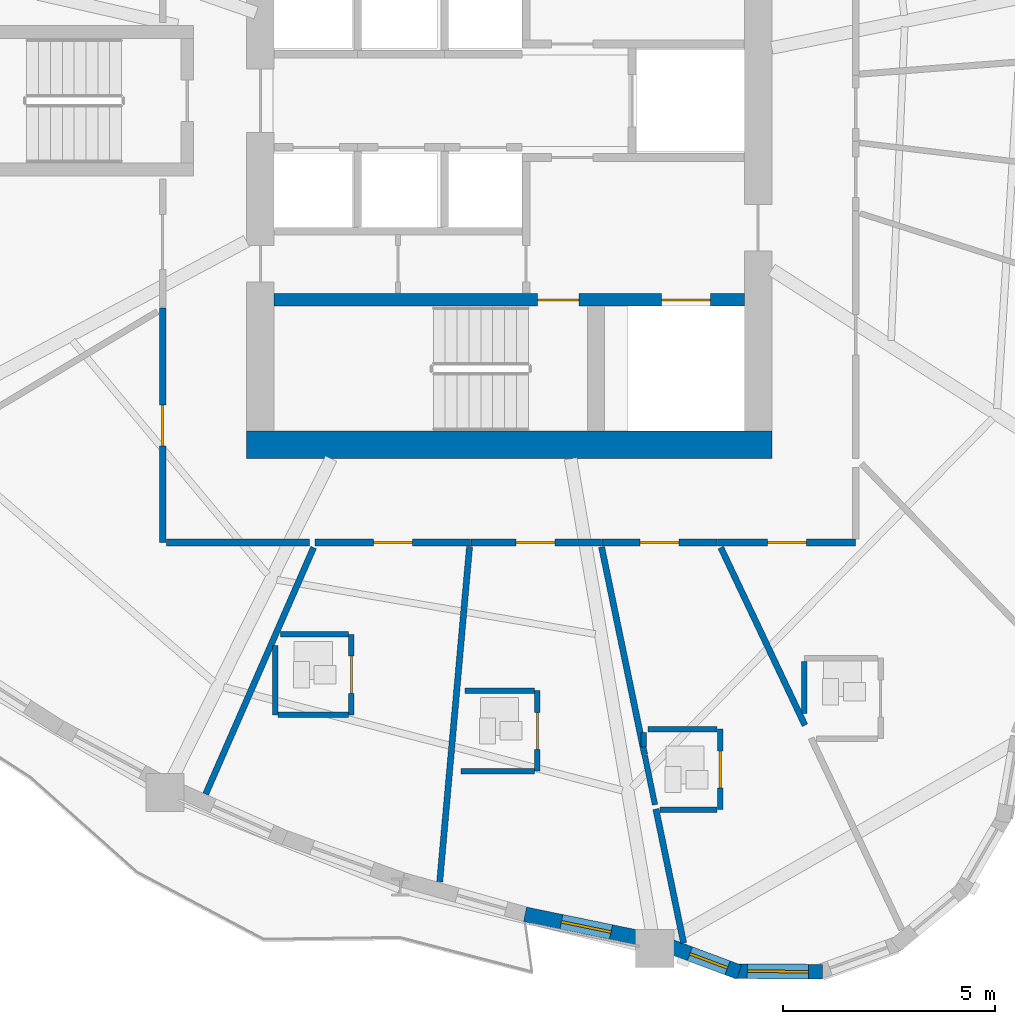
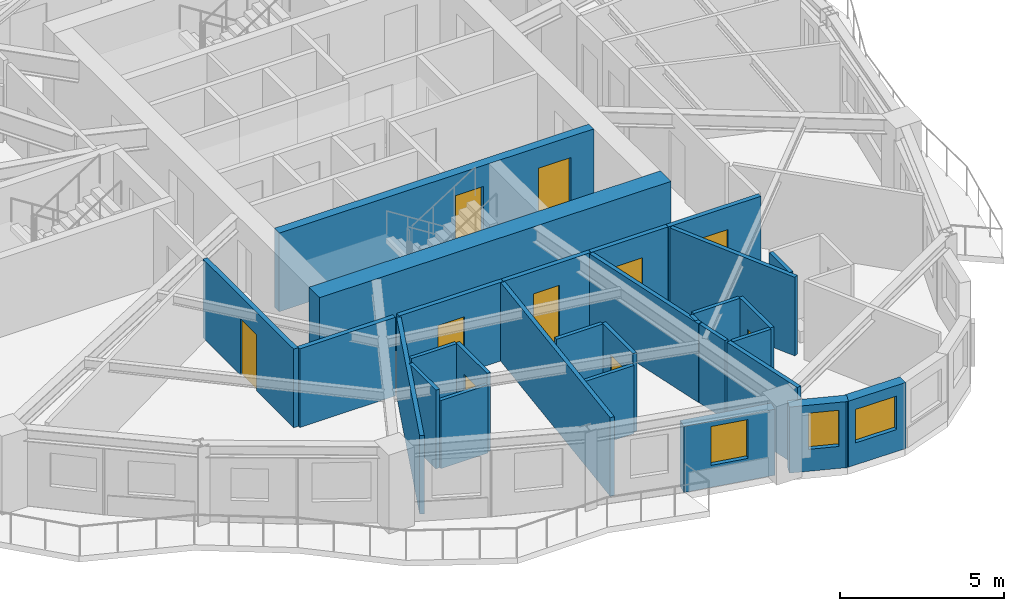
# One storey, part 5 of 14: 29 walls, 10 doors, 3 windows, 13 openings.
"""IFC4 building model written with IfcOpenShell, lengths in metres."""

from ifc_helpers import new_model, si_unit, direction, frame, frame_2d, origin, place, context, subcontext, project, spatial, rectangle, extrude, source, transform, mapped, material, layer, layer_set, type_object, element, fill, save


model = new_model("IFC4")

# Units and contexts
model_context = context("Model", 3, precision=1e-05, world=origin(), true_north=direction((0.0, 1.0)))
body_context = subcontext(model_context, "Body", "Model", "MODEL_VIEW")
ifc_project = project(units=[si_unit("LENGTHUNIT", "METRE"), si_unit("AREAUNIT", "SQUARE_METRE"), si_unit("VOLUMEUNIT", "CUBIC_METRE"), si_unit("PLANEANGLEUNIT", "RADIAN"), si_unit("MASSUNIT", "GRAM", prefix="KILO")], contexts=[model_context])

# Site, building, storey
site_placement = place(None, origin())
site = spatial("IfcSite", under=ifc_project, at=site_placement, CompositionType="ELEMENT")
building_placement = place(site_placement, origin())
building = spatial("IfcBuilding", under=site, at=building_placement, Name="Qafzar Sky-Pleat Residences", CompositionType="ELEMENT")
storey_placement = place(building_placement, frame((0.0, 0.0, 83.199951171875)))
storey = spatial("IfcBuildingStorey", under=building, at=storey_placement, Name="L24", CompositionType="ELEMENT", Elevation=83.199951171875)

# Wall, opening, door
ifc_material_1 = material(Name="Acoustic gypsum plasterboard partition", Category="gypsum")
ifc_layer_1 = layer(ifc_material_1, 0.159912109375)
ifc_layer_set_1 = layer_set([ifc_layer_1], Name="Acoustic gypsum plasterboard partition")
wall_type_1 = type_object("IfcWallType", Name="PART-COR-160", PredefinedType="PARTITIONING", material=ifc_layer_set_1)
wall_1_placement = place(storey_placement, frame((22.169921875, 15.570068359375, 0.0), z_axis=(0.0, 0.0, 1.0), x_axis=(0.0, 1.0, 0.0)))
wall_1 = element("IfcWall", 1, at=wall_1_placement, inside=storey, type_object=wall_type_1, Name="L24 Partition Wall PART-L24-PW-003", PredefinedType="PARTITIONING", context=body_context, shape_type="SweptSolid", body=[
    extrude(rectangle(XDim=5.54296875, YDim=0.159912109375, at=frame_2d((2.771484375, 0.0))), origin(), (0.0, 0.0, 1.0), 2.93505859375),
])
opening_1_placement = place(wall_1_placement, frame((2.282958984375, 0.0, 0.0)))
opening_1 = element("IfcOpeningElement", 2, at=opening_1_placement, cuts=wall_1, Name="Opening ID-06", PredefinedType="OPENING", context=body_context, shape_type="SweptSolid", body=[
    extrude(rectangle(XDim=0.9599609375, YDim=2.10009765625, at=frame_2d((0.47998046875, 1.050048828125))), frame((0.0, 0.08984375, 0.0), z_axis=(0.0, -1.0, 0.0), x_axis=(1.0, 0.0, 0.0)), (0.0, 0.0, 1.0), 0.179931640625),
])
ifc_material_2 = material(Name="Timber-faced fire door", Category="wood")
door_type_1 = type_object("IfcDoorType", Name="DR-STD-960", OperationType="NOTDEFINED", PredefinedType="DOOR", material=ifc_material_2)
shared_shape_1 = source(origin(), body_context, "Body", "SweptSolid", [
    extrude(rectangle(XDim=0.9599609375, YDim=2.10009765625, at=frame_2d((0.47998046875, 1.050048828125))), frame((0.0, 0.02490234375, 0.0), z_axis=(0.0, -1.0, 0.0), x_axis=(1.0, 0.0, 0.0)), (0.0, 0.0, 1.0), 0.050048828125),
])
door_1_placement = place(opening_1_placement, origin())
door_1 = element("IfcDoor", 3, at=door_1_placement, inside=storey, type_object=door_type_1, Name="L24 Scholar Co-Working Workspace Door", OperationType="SINGLE_SWING_LEFT", OverallHeight=2.10009765625, OverallWidth=0.9599609375, PredefinedType="DOOR", context=body_context, shape_type="MappedRepresentation", body=[
    mapped(shared_shape_1, transform((0.0, 0.0, 0.0), x_axis=(1.0, 0.0, 0.0), y_axis=(0.0, 1.0, 0.0), z_axis=(0.0, 0.0, 1.0), scale=1.0)),
])
fill(opening_1, door_1)

wall_2_placement = place(storey_placement, frame((29.43798828125, 15.570068359375, 0.0), z_axis=(0.0, 0.0, 1.0), x_axis=(-1.0, 0.0, 0.0)))
wall_2 = element("IfcWall", 4, at=wall_2_placement, inside=storey, type_object=wall_type_1, Name="L24 Partition Wall PART-L24-PW-009", PredefinedType="PARTITIONING", context=body_context, shape_type="SweptSolid", body=[
    extrude(rectangle(XDim=3.669921875, YDim=0.159912109375, at=frame_2d((1.8349609375, 0.0))), origin(), (0.0, 0.0, 1.0), 2.93505859375),
])
opening_2_placement = place(wall_2_placement, frame((1.3740234375, 0.0, 0.0)))
opening_2 = element("IfcOpeningElement", 5, at=opening_2_placement, cuts=wall_2, Name="Opening ID-04", PredefinedType="OPENING", context=body_context, shape_type="SweptSolid", body=[
    extrude(rectangle(XDim=0.919921875, YDim=2.10009765625, at=frame_2d((0.4599609375, 1.050048828125))), frame((0.0, 0.08984375, 0.0), z_axis=(0.0, -1.0, 0.0), x_axis=(1.0, 0.0, 0.0)), (0.0, 0.0, 1.0), 0.179931640625),
])
door_type_2 = type_object("IfcDoorType", Name="DR-BED-920", OperationType="NOTDEFINED", PredefinedType="DOOR", material=ifc_material_2)
shared_shape_2 = source(origin(), body_context, "Body", "SweptSolid", [
    extrude(rectangle(XDim=0.919921875, YDim=2.10009765625, at=frame_2d((0.4599609375, 1.050048828125))), frame((0.0, 0.02490234375, 0.0), z_axis=(0.0, -1.0, 0.0), x_axis=(1.0, 0.0, 0.0)), (0.0, 0.0, 1.0), 0.050048828125),
])
door_2_placement = place(opening_2_placement, origin())
door_2 = element("IfcDoor", 6, at=door_2_placement, inside=storey, type_object=door_type_2, Name="L24 Co-Living Bedroom 1 Door", OperationType="SINGLE_SWING_RIGHT", OverallHeight=2.10009765625, OverallWidth=0.919921875, PredefinedType="DOOR", context=body_context, shape_type="MappedRepresentation", body=[
    mapped(shared_shape_2, transform((0.0, 0.0, 0.0), x_axis=(1.0, 0.0, 0.0), y_axis=(0.0, 1.0, 0.0), z_axis=(0.0, 0.0, 1.0), scale=1.0)),
])
fill(opening_2, door_2)

wall_3_placement = place(storey_placement, frame((38.530029296875, 15.570068359375, 0.0), z_axis=(0.0, 0.0, 1.0), x_axis=(-1.0, 0.0, 0.0)))
wall_3 = element("IfcWall", 7, at=wall_3_placement, inside=storey, type_object=wall_type_1, Name="L24 Partition Wall PART-L24-PW-011", PredefinedType="PARTITIONING", context=body_context, shape_type="SweptSolid", body=[
    extrude(rectangle(XDim=3.257080078125, YDim=0.159912109375, at=frame_2d((1.62841796875, 0.0))), origin(), (0.0, 0.0, 1.0), 2.93505859375),
])
opening_3_placement = place(wall_3_placement, frame((1.159912109375, 0.0, 0.0)))
opening_3 = element("IfcOpeningElement", 8, at=opening_3_placement, cuts=wall_3, Name="Opening ID-04", PredefinedType="OPENING", context=body_context, shape_type="SweptSolid", body=[
    extrude(rectangle(XDim=0.919921875, YDim=2.10009765625, at=frame_2d((0.4599609375, 1.050048828125))), frame((0.0, 0.08984375, 0.0), z_axis=(0.0, -1.0, 0.0), x_axis=(1.0, 0.0, 0.0)), (0.0, 0.0, 1.0), 0.179931640625),
])
door_3_placement = place(opening_3_placement, origin())
door_3 = element("IfcDoor", 9, at=door_3_placement, inside=storey, type_object=door_type_2, Name="L24 Co-Living Bedroom 4 Door", OperationType="SINGLE_SWING_RIGHT", OverallHeight=2.10009765625, OverallWidth=0.919921875, PredefinedType="DOOR", context=body_context, shape_type="MappedRepresentation", body=[
    mapped(shared_shape_2, transform((0.0, 0.0, 0.0), x_axis=(1.0, 0.0, 0.0), y_axis=(0.0, 1.0, 0.0), z_axis=(0.0, 0.0, 1.0), scale=1.0)),
])
fill(opening_3, door_3)

wall_4_placement = place(storey_placement, frame((32.52490234375, 15.570068359375, 0.0), z_axis=(0.0, 0.0, 1.0), x_axis=(-1.0, 0.0, 0.0)))
wall_4 = element("IfcWall", 10, at=wall_4_placement, inside=storey, type_object=wall_type_1, Name="L24 Partition Wall PART-L24-PW-013", PredefinedType="PARTITIONING", context=body_context, shape_type="SweptSolid", body=[
    extrude(rectangle(XDim=3.072021484375, YDim=0.159912109375, at=frame_2d((1.5361328125, 0.0))), origin(), (0.0, 0.0, 1.0), 2.93505859375),
])
opening_4_placement = place(wall_4_placement, frame((1.098388671875, 0.0, 0.0)))
opening_4 = element("IfcOpeningElement", 11, at=opening_4_placement, cuts=wall_4, Name="Opening ID-04", PredefinedType="OPENING", context=body_context, shape_type="SweptSolid", body=[
    extrude(rectangle(XDim=0.919921875, YDim=2.10009765625, at=frame_2d((0.4599609375, 1.050048828125))), frame((0.0, 0.08984375, 0.0), z_axis=(0.0, -1.0, 0.0), x_axis=(1.0, 0.0, 0.0)), (0.0, 0.0, 1.0), 0.179931640625),
])
door_4_placement = place(opening_4_placement, origin())
door_4 = element("IfcDoor", 12, at=door_4_placement, inside=storey, type_object=door_type_2, Name="L24 Co-Living Bedroom 2 Door", OperationType="SINGLE_SWING_LEFT", OverallHeight=2.10009765625, OverallWidth=0.919921875, PredefinedType="DOOR", context=body_context, shape_type="MappedRepresentation", body=[
    mapped(shared_shape_2, transform((0.0, 0.0, 0.0), x_axis=(1.0, 0.0, 0.0), y_axis=(0.0, 1.0, 0.0), z_axis=(0.0, 0.0, 1.0), scale=1.0)),
])
fill(opening_4, door_4)

wall_5_placement = place(storey_placement, frame((35.258056640625, 15.570068359375, 0.0), z_axis=(0.0, 0.0, 1.0), x_axis=(-1.0, 0.0, 0.0)))
wall_5 = element("IfcWall", 13, at=wall_5_placement, inside=storey, type_object=wall_type_1, Name="L24 Partition Wall PART-L24-PW-016", PredefinedType="PARTITIONING", context=body_context, shape_type="SweptSolid", body=[
    extrude(rectangle(XDim=2.718017578125, YDim=0.159912109375, at=frame_2d((1.35888671875, 0.0))), origin(), (0.0, 0.0, 1.0), 2.93505859375),
])
opening_5_placement = place(wall_5_placement, frame((0.89794921875, 0.0, 0.0)))
opening_5 = element("IfcOpeningElement", 14, at=opening_5_placement, cuts=wall_5, Name="Opening ID-04", PredefinedType="OPENING", context=body_context, shape_type="SweptSolid", body=[
    extrude(rectangle(XDim=0.919921875, YDim=2.10009765625, at=frame_2d((0.4599609375, 1.050048828125))), frame((0.0, 0.08984375, 0.0), z_axis=(0.0, -1.0, 0.0), x_axis=(1.0, 0.0, 0.0)), (0.0, 0.0, 1.0), 0.179931640625),
])
door_5_placement = place(opening_5_placement, origin())
door_5 = element("IfcDoor", 15, at=door_5_placement, inside=storey, type_object=door_type_2, Name="L24 Co-Living Bedroom 3 Door", OperationType="SINGLE_SWING_RIGHT", OverallHeight=2.10009765625, OverallWidth=0.919921875, PredefinedType="DOOR", context=body_context, shape_type="MappedRepresentation", body=[
    mapped(shared_shape_2, transform((0.0, 0.0, 0.0), x_axis=(1.0, 0.0, 0.0), y_axis=(0.0, 1.0, 0.0), z_axis=(0.0, 0.0, 1.0), scale=1.0)),
])
fill(opening_5, door_5)

# Walls
wall_6_placement = place(storey_placement, frame((22.258056640625, 15.570068359375, 0.0), z_axis=(0.0, 0.0, 1.0), x_axis=(1.0, 0.0, 0.0)))
element("IfcWall", 16, at=wall_6_placement, inside=storey, type_object=wall_type_1, Name="L24 Partition Wall PART-L24-PW-043", PredefinedType="PARTITIONING", context=body_context, shape_type="SweptSolid", body=[
    extrude(rectangle(XDim=3.372802734375, YDim=0.159912109375, at=frame_2d((1.6865234375, 0.0))), origin(), (0.0, 0.0, 1.0), 2.93505859375),
])
ifc_layer_2 = layer(ifc_material_1, 0.14501953125)
ifc_layer_set_2 = layer_set([ifc_layer_2], Name="Acoustic gypsum plasterboard partition")
wall_type_2 = type_object("IfcWallType", Name="PART-UNIT-145", PredefinedType="PARTITIONING", material=ifc_layer_set_2)
wall_7_placement = place(storey_placement, frame((28.710693359375, 7.56396484375, 0.0), z_axis=(0.0, 0.0, 1.0), x_axis=(0.088615013812, 0.996065951294, 0.0)))
element("IfcWall", 17, at=wall_7_placement, inside=storey, type_object=wall_type_2, Name="L24 Partition Wall PART-L24-PW-028", PredefinedType="PARTITIONING", context=body_context, shape_type="SweptSolid", body=[
    extrude(rectangle(XDim=7.94287109375, YDim=0.14501953125, at=frame_2d((3.971435546875, 0.0))), origin(), (0.0, 0.0, 1.0), 2.93505859375),
])
wall_8_placement = place(storey_placement, frame((23.186279296875, 9.633544921875, 0.0), z_axis=(0.0, 0.0, 1.0), x_axis=(0.400994208685, 0.916080588486, 0.0)))
element("IfcWall", 18, at=wall_8_placement, inside=storey, type_object=wall_type_2, Name="L24 Partition Wall PART-L24-PW-033", PredefinedType="PARTITIONING", context=body_context, shape_type="SweptSolid", body=[
    extrude(rectangle(XDim=6.353271484375, YDim=0.14501953125, at=frame_2d((3.1767578125, 0.0))), origin(), (0.0, 0.0, 1.0), 2.93505859375),
])
wall_9_placement = place(storey_placement, frame((32.53125, 15.467529296875, 0.0), z_axis=(0.0, 0.0, 1.0), x_axis=(0.202792769077, -0.979221677053, 0.0)))
element("IfcWall", 19, at=wall_9_placement, inside=storey, type_object=wall_type_2, Name="L24 Partition Wall PART-L24-PW-038", PredefinedType="PARTITIONING", context=body_context, shape_type="SweptSolid", body=[
    extrude(rectangle(XDim=5.00341796875, YDim=0.14501953125, at=frame_2d((2.501708984375, 0.0))), origin(), (0.0, 0.0, 1.0), 2.93505859375),
])
wall_10_placement = place(storey_placement, frame((35.345947265625, 15.45166015625, 0.0), z_axis=(0.0, 0.0, 1.0), x_axis=(0.428023015228, -0.903767834366, 0.0)))
element("IfcWall", 20, at=wall_10_placement, inside=storey, type_object=wall_type_2, Name="L24 Partition Wall PART-L24-PW-040", PredefinedType="PARTITIONING", context=body_context, shape_type="SweptSolid", body=[
    extrude(rectangle(XDim=4.64013671875, YDim=0.14501953125, at=frame_2d((2.320068359375, 0.0))), origin(), (0.0, 0.0, 1.0), 2.93505859375),
])
wall_11_placement = place(storey_placement, frame((33.81298828125, 9.280029296875, 0.0), z_axis=(0.0, 0.0, 1.0), x_axis=(0.202648062782, -0.979251633979, 0.0)))
element("IfcWall", 21, at=wall_11_placement, inside=storey, type_object=wall_type_2, Name="L24 Partition Wall PART-L24-PW-046", PredefinedType="PARTITIONING", context=body_context, shape_type="SweptSolid", body=[
    extrude(rectangle(XDim=3.232421875, YDim=0.14501953125, at=frame_2d((1.6162109375, 0.0))), origin(), (0.0, 0.0, 1.0), 2.93505859375),
])

# Wall, opening, door
ifc_material_3 = material(Name="Moisture-resistant gypsum partition", Category="gypsum")
ifc_layer_3 = layer(ifc_material_3, 0.1298828125)
ifc_layer_set_3 = layer_set([ifc_layer_3], Name="Moisture-resistant gypsum partition")
wall_type_3 = type_object("IfcWallType", Name="PART-WET-130", PredefinedType="PARTITIONING", material=ifc_layer_set_3)
wall_12_placement = place(storey_placement, frame((26.625, 11.5, 0.0), z_axis=(0.0, 0.0, 1.0), x_axis=(0.0, 1.0, 0.0)))
wall_12 = element("IfcWall", 22, at=wall_12_placement, inside=storey, type_object=wall_type_3, Name="L24 Partition Wall PART-L24-PW-018", PredefinedType="PARTITIONING", context=body_context, shape_type="SweptSolid", body=[
    extrude(rectangle(XDim=1.89990234375, YDim=0.1298828125, at=frame_2d((0.949951171875, 0.0))), origin(), (0.0, 0.0, 1.0), 2.93505859375),
])
opening_6_placement = place(wall_12_placement, frame((0.510009765625, 0.0, 0.0)))
opening_6 = element("IfcOpeningElement", 23, at=opening_6_placement, cuts=wall_12, Name="Opening ID-07", PredefinedType="OPENING", context=body_context, shape_type="SweptSolid", body=[
    extrude(rectangle(XDim=0.8798828125, YDim=2.050048828125, at=frame_2d((0.43994140625, 1.02490234375))), frame((0.0, 0.074951171875, 0.0), z_axis=(0.0, -1.0, 0.0), x_axis=(1.0, 0.0, 0.0)), (0.0, 0.0, 1.0), 0.14990234375),
])
door_type_3 = type_object("IfcDoorType", Name="DR-WET-880", OperationType="NOTDEFINED", PredefinedType="DOOR", material=ifc_material_2)
shared_shape_3 = source(origin(), body_context, "Body", "SweptSolid", [
    extrude(rectangle(XDim=0.8798828125, YDim=2.050048828125, at=frame_2d((0.43994140625, 1.02490234375))), frame((0.0, 0.02490234375, 0.0), z_axis=(0.0, -1.0, 0.0), x_axis=(1.0, 0.0, 0.0)), (0.0, 0.0, 1.0), 0.050048828125),
])
door_6_placement = place(opening_6_placement, origin())
door_6 = element("IfcDoor", 24, at=door_6_placement, inside=storey, type_object=door_type_3, Name="L24 En-suite Bathroom 1 Door", OperationType="SINGLE_SWING_RIGHT", OverallHeight=2.050048828125, OverallWidth=0.8798828125, PredefinedType="DOOR", context=body_context, shape_type="MappedRepresentation", body=[
    mapped(shared_shape_3, transform((0.0, 0.0, 0.0), x_axis=(1.0, 0.0, 0.0), y_axis=(0.0, 1.0, 0.0), z_axis=(0.0, 0.0, 1.0), scale=1.0)),
])
fill(opening_6, door_6)

wall_13_placement = place(storey_placement, frame((31.01806640625, 10.174072265625, 0.0), z_axis=(0.0, 0.0, 1.0), x_axis=(0.0, 1.0, 0.0)))
wall_13 = element("IfcWall", 25, at=wall_13_placement, inside=storey, type_object=wall_type_3, Name="L24 Partition Wall PART-L24-PW-019", PredefinedType="PARTITIONING", context=body_context, shape_type="SweptSolid", body=[
    extrude(rectangle(XDim=1.89990234375, YDim=0.1298828125, at=frame_2d((0.949951171875, 0.0))), origin(), (0.0, 0.0, 1.0), 2.93505859375),
])
opening_7_placement = place(wall_13_placement, frame((0.510009765625, 0.0, 0.0)))
opening_7 = element("IfcOpeningElement", 26, at=opening_7_placement, cuts=wall_13, Name="Opening ID-07", PredefinedType="OPENING", context=body_context, shape_type="SweptSolid", body=[
    extrude(rectangle(XDim=0.8798828125, YDim=2.050048828125, at=frame_2d((0.43994140625, 1.02490234375))), frame((0.0, 0.074951171875, 0.0), z_axis=(0.0, -1.0, 0.0), x_axis=(1.0, 0.0, 0.0)), (0.0, 0.0, 1.0), 0.14990234375),
])
door_7_placement = place(opening_7_placement, origin())
door_7 = element("IfcDoor", 27, at=door_7_placement, inside=storey, type_object=door_type_3, Name="L24 En-suite Bathroom 2 Door", OperationType="SINGLE_SWING_LEFT", OverallHeight=2.050048828125, OverallWidth=0.8798828125, PredefinedType="DOOR", context=body_context, shape_type="MappedRepresentation", body=[
    mapped(shared_shape_3, transform((0.0, 0.0, 0.0), x_axis=(1.0, 0.0, 0.0), y_axis=(0.0, 1.0, 0.0), z_axis=(0.0, 0.0, 1.0), scale=1.0)),
])
fill(opening_7, door_7)

wall_14_placement = place(storey_placement, frame((35.3310546875, 9.264892578125, 0.0), z_axis=(0.0, 0.0, 1.0), x_axis=(0.0, 1.0, 0.0)))
wall_14 = element("IfcWall", 28, at=wall_14_placement, inside=storey, type_object=wall_type_3, Name="L24 Partition Wall PART-L24-PW-021", PredefinedType="PARTITIONING", context=body_context, shape_type="SweptSolid", body=[
    extrude(rectangle(XDim=1.900146484375, YDim=0.1298828125, at=frame_2d((0.9501953125, 0.0))), origin(), (0.0, 0.0, 1.0), 2.93505859375),
])
opening_8_placement = place(wall_14_placement, frame((0.510009765625, 0.0, 0.0)))
opening_8 = element("IfcOpeningElement", 29, at=opening_8_placement, cuts=wall_14, Name="Opening ID-07", PredefinedType="OPENING", context=body_context, shape_type="SweptSolid", body=[
    extrude(rectangle(XDim=0.8798828125, YDim=2.050048828125, at=frame_2d((0.43994140625, 1.02490234375))), frame((0.0, 0.074951171875, 0.0), z_axis=(0.0, -1.0, 0.0), x_axis=(1.0, 0.0, 0.0)), (0.0, 0.0, 1.0), 0.14990234375),
])
door_8_placement = place(opening_8_placement, origin())
door_8 = element("IfcDoor", 30, at=door_8_placement, inside=storey, type_object=door_type_3, Name="L24 En-suite Bathroom 3 Door", OperationType="SINGLE_SWING_LEFT", OverallHeight=2.050048828125, OverallWidth=0.8798828125, PredefinedType="DOOR", context=body_context, shape_type="MappedRepresentation", body=[
    mapped(shared_shape_3, transform((0.0, 0.0, 0.0), x_axis=(1.0, 0.0, 0.0), y_axis=(0.0, 1.0, 0.0), z_axis=(0.0, 0.0, 1.0), scale=1.0)),
])
fill(opening_8, door_8)

# Walls
wall_15_placement = place(storey_placement, frame((24.824951171875, 11.5, 0.0), z_axis=(0.0, 0.0, 1.0), x_axis=(0.0, 1.0, 0.0)))
element("IfcWall", 31, at=wall_15_placement, inside=storey, type_object=wall_type_3, Name="L24 Partition Wall PART-L24-PW-050", PredefinedType="PARTITIONING", context=body_context, shape_type="SweptSolid", body=[
    extrude(rectangle(XDim=1.636962890625, YDim=0.1298828125, at=frame_2d((0.818359375, 0.0))), origin(), (0.0, 0.0, 1.0), 2.93505859375),
])
wall_16_placement = place(storey_placement, frame((33.62646484375, 11.1650390625, 0.0), z_axis=(0.0, 0.0, 1.0), x_axis=(1.0, 0.0, 0.0)))
element("IfcWall", 32, at=wall_16_placement, inside=storey, type_object=wall_type_3, Name="L24 Partition Wall PART-L24-PW-051", PredefinedType="PARTITIONING", context=body_context, shape_type="SweptSolid", body=[
    extrude(rectangle(XDim=1.631591796875, YDim=0.1298828125, at=frame_2d((0.81591796875, 0.0))), origin(), (0.0, 0.0, 1.0), 2.93505859375),
])
wall_17_placement = place(storey_placement, frame((24.89794921875, 11.5, 0.0), z_axis=(0.0, 0.0, 1.0), x_axis=(1.0, 0.0, 0.0)))
element("IfcWall", 33, at=wall_17_placement, inside=storey, type_object=wall_type_3, Name="L24 Partition Wall PART-L24-PW-052", PredefinedType="PARTITIONING", context=body_context, shape_type="SweptSolid", body=[
    extrude(rectangle(XDim=1.654052734375, YDim=0.1298828125, at=frame_2d((0.8271484375, 0.0))), origin(), (0.0, 0.0, 1.0), 2.54296875),
])
wall_18_placement = place(storey_placement, frame((29.3046875, 12.073974609375, 0.0), z_axis=(0.0, 0.0, 1.0), x_axis=(1.0, 0.0, 0.0)))
element("IfcWall", 34, at=wall_18_placement, inside=storey, type_object=wall_type_3, Name="L24 Partition Wall PART-L24-PW-053", PredefinedType="PARTITIONING", context=body_context, shape_type="SweptSolid", body=[
    extrude(rectangle(XDim=1.640380859375, YDim=0.1298828125, at=frame_2d((0.8203125, 0.0))), origin(), (0.0, 0.0, 1.0), 2.93505859375),
])
wall_19_placement = place(storey_placement, frame((29.218017578125, 10.174072265625, 0.0), z_axis=(0.0, 0.0, 1.0), x_axis=(1.0, 0.0, 0.0)))
element("IfcWall", 35, at=wall_19_placement, inside=storey, type_object=wall_type_3, Name="L24 Partition Wall PART-L24-PW-054", PredefinedType="PARTITIONING", context=body_context, shape_type="SweptSolid", body=[
    extrude(rectangle(XDim=1.72705078125, YDim=0.1298828125, at=frame_2d((0.863525390625, 0.0))), origin(), (0.0, 0.0, 1.0), 2.54296875),
])
wall_20_placement = place(storey_placement, frame((24.95068359375, 13.39990234375, 0.0), z_axis=(0.0, 0.0, 1.0), x_axis=(1.0, 0.0, 0.0)))
element("IfcWall", 36, at=wall_20_placement, inside=storey, type_object=wall_type_3, Name="L24 Partition Wall PART-L24-PW-058", PredefinedType="PARTITIONING", context=body_context, shape_type="SweptSolid", body=[
    extrude(rectangle(XDim=1.601318359375, YDim=0.1298828125, at=frame_2d((0.80078125, 0.0))), origin(), (0.0, 0.0, 1.0), 2.93505859375),
])
wall_21_placement = place(storey_placement, frame((37.31689453125, 11.530029296875, 0.0), z_axis=(0.0, 0.0, 1.0), x_axis=(0.0, 1.0, 0.0)))
element("IfcWall", 37, at=wall_21_placement, inside=storey, type_object=wall_type_3, Name="L24 Partition Wall PART-L24-PW-060", PredefinedType="PARTITIONING", context=body_context, shape_type="SweptSolid", body=[
    extrude(rectangle(XDim=1.236083984375, YDim=0.1298828125, at=frame_2d((0.6181640625, 0.0))), origin(), (0.0, 0.0, 1.0), 2.93505859375),
])
wall_22_placement = place(storey_placement, frame((33.91162109375, 9.264892578125, 0.0), z_axis=(0.0, 0.0, 1.0), x_axis=(1.0, 0.0, 0.0)))
element("IfcWall", 38, at=wall_22_placement, inside=storey, type_object=wall_type_3, Name="L24 Partition Wall PART-L24-PW-061", PredefinedType="PARTITIONING", context=body_context, shape_type="SweptSolid", body=[
    extrude(rectangle(XDim=1.346435546875, YDim=0.1298828125, at=frame_2d((0.67333984375, 0.0))), origin(), (0.0, 0.0, 1.0), 2.93505859375),
])
wall_23_placement = place(storey_placement, frame((33.549072265625, 10.55322265625, 0.0), z_axis=(0.0, 0.0, 1.0), x_axis=(0.202855035592, -0.97920877985, 0.0)))
element("IfcWall", 39, at=wall_23_placement, inside=storey, type_object=wall_type_3, Name="L24 Partition Wall PART-L24-PW-067", PredefinedType="PARTITIONING", context=body_context, shape_type="SweptSolid", body=[
    extrude(rectangle(XDim=1.197509765625, YDim=0.1298828125, at=frame_2d((0.5986328125, 0.0))), origin(), (0.0, 0.0, 1.0), 2.93505859375),
])
wall_24_placement = place(storey_placement, frame((33.531005859375, 10.741943359375, 0.0), z_axis=(0.0, 0.0, 1.0), x_axis=(0.0, 1.0, 0.0)))
element("IfcWall", 40, at=wall_24_placement, inside=storey, type_object=wall_type_3, Name="L24 Partition Wall PART-L24-PW-071", PredefinedType="PARTITIONING", context=body_context, shape_type="SweptSolid", body=[
    extrude(rectangle(XDim=0.35009765625, YDim=0.1298828125, at=frame_2d((0.175048828125, 0.0))), origin(), (0.0, 0.0, 1.0), 2.93505859375),
])

# Wall, opening, window
ifc_material_4 = material(Name="Precast concrete C40/50 with honed Riyadh limestone", Category="concrete")
ifc_layer_4 = layer(ifc_material_4, 0.35009765625)
ifc_layer_set_4 = layer_set([ifc_layer_4], Name="Precast concrete C40/50 with honed Riyadh limestone")
wall_type_4 = type_object("IfcWallType", Name="WALL-EXT-350", PredefinedType="SOLIDWALL", material=ifc_layer_set_4)
wall_25_placement = place(storey_placement, frame((30.723876953125, 6.794189453125, 0.0), z_axis=(0.0, 0.0, 1.0), x_axis=(0.979439663571, -0.201737317878, 0.0)))
wall_25 = element("IfcWall", 41, at=wall_25_placement, inside=storey, type_object=wall_type_4, Name="L24 Limestone Facade Wall 16", PredefinedType="SOLIDWALL", context=body_context, shape_type="SweptSolid", body=[
    extrude(rectangle(XDim=2.938232421875, YDim=0.35009765625, at=frame_2d((1.46923828125, 0.0))), origin(), (0.0, 0.0, 1.0), 2.465087890625),
])
opening_9_placement = place(wall_25_placement, frame((0.874267578125, 0.0, 0.820068359375)))
opening_9 = element("IfcOpeningElement", 42, at=opening_9_placement, cuts=wall_25, Name="Opening WN-05", PredefinedType="OPENING", context=body_context, shape_type="SweptSolid", body=[
    extrude(rectangle(XDim=1.199951171875, YDim=1.449951171875, at=frame_2d((0.60009765625, 0.72509765625))), frame((0.0, 0.18505859375, 0.0), z_axis=(0.0, -1.0, 0.0), x_axis=(1.0, 0.0, 0.0)), (0.0, 0.0, 1.0), 0.3701171875),
])
ifc_material_5 = material(Name="Solar-control low-E glass in bronze aluminium frame", Category="glass")
window_type_1 = type_object("IfcWindowType", Name="WIN-05", PartitioningType="SINGLE_PANEL", PredefinedType="WINDOW", material=ifc_material_5)
shared_shape_4 = source(origin(), body_context, "Body", "SweptSolid", [
    extrude(rectangle(XDim=1.199951171875, YDim=1.449951171875, at=frame_2d((0.60009765625, 0.72509765625))), frame((0.0, 0.030029296875, 0.0), z_axis=(0.0, -1.0, 0.0), x_axis=(1.0, 0.0, 0.0)), (0.0, 0.0, 1.0), 0.06005859375),
])
window_1_placement = place(opening_9_placement, origin())
window_1 = element("IfcWindow", 43, at=window_1_placement, inside=storey, type_object=window_type_1, Name="L24 Punched Facade Window 16", OverallHeight=1.449951171875, OverallWidth=1.199951171875, PartitioningType="SINGLE_PANEL", PredefinedType="WINDOW", context=body_context, shape_type="MappedRepresentation", body=[
    mapped(shared_shape_4, transform((0.0, 0.0, 0.0), x_axis=(1.0, 0.0, 0.0), y_axis=(0.0, 1.0, 0.0), z_axis=(0.0, 0.0, 1.0), scale=1.0)),
])
fill(opening_9, window_1)

wall_26_placement = place(storey_placement, frame((34.05908203125, 6.06982421875, 0.0), z_axis=(0.0, 0.0, 1.0), x_axis=(0.936803747811, -0.349855310219, 0.0)))
wall_26 = element("IfcWall", 44, at=wall_26_placement, inside=storey, type_object=wall_type_4, Name="L24 Limestone Facade Wall 17", PredefinedType="SOLIDWALL", context=body_context, shape_type="SweptSolid", body=[
    extrude(rectangle(XDim=1.8359375, YDim=0.35009765625, at=frame_2d((0.91796875, 0.0))), origin(), (0.0, 0.0, 1.0), 2.465087890625),
])
opening_10_placement = place(wall_26_placement, frame((0.59326171875, 0.0, 0.820068359375)))
opening_10 = element("IfcOpeningElement", 45, at=opening_10_placement, cuts=wall_26, Name="Opening WN-12", PredefinedType="OPENING", context=body_context, shape_type="SweptSolid", body=[
    extrude(rectangle(XDim=0.949951171875, YDim=1.35009765625, at=frame_2d((0.47509765625, 0.675048828125))), frame((0.0, 0.18505859375, 0.0), z_axis=(0.0, -1.0, 0.0), x_axis=(1.0, 0.0, 0.0)), (0.0, 0.0, 1.0), 0.3701171875),
])
window_type_2 = type_object("IfcWindowType", Name="WIN-12", PartitioningType="SINGLE_PANEL", PredefinedType="WINDOW", material=ifc_material_5)
shared_shape_5 = source(origin(), body_context, "Body", "SweptSolid", [
    extrude(rectangle(XDim=0.949951171875, YDim=1.35009765625, at=frame_2d((0.47509765625, 0.675048828125))), frame((0.0, 0.030029296875, 0.0), z_axis=(0.0, -1.0, 0.0), x_axis=(1.0, 0.0, 0.0)), (0.0, 0.0, 1.0), 0.06005859375),
])
window_2_placement = place(opening_10_placement, origin())
window_2 = element("IfcWindow", 46, at=window_2_placement, inside=storey, type_object=window_type_2, Name="L24 Punched Facade Window 17", OverallHeight=1.35009765625, OverallWidth=0.949951171875, PartitioningType="SINGLE_PANEL", PredefinedType="WINDOW", context=body_context, shape_type="MappedRepresentation", body=[
    mapped(shared_shape_5, transform((0.0, 0.0, 0.0), x_axis=(1.0, 0.0, 0.0), y_axis=(0.0, 1.0, 0.0), z_axis=(0.0, 0.0, 1.0), scale=1.0)),
])
fill(opening_10, window_2)

wall_27_placement = place(storey_placement, frame((35.6455078125, 5.4521484375, 0.0), z_axis=(0.0, 0.0, 1.0), x_axis=(0.999976451414, -0.006862697526, 0.0)))
wall_27 = element("IfcWall", 47, at=wall_27_placement, inside=storey, type_object=wall_type_4, Name="L24 Limestone Facade Wall 18", PredefinedType="SOLIDWALL", context=body_context, shape_type="SweptSolid", body=[
    extrude(rectangle(XDim=2.098876953125, YDim=0.35009765625, at=frame_2d((1.04931640625, 0.0))), origin(), (0.0, 0.0, 1.0), 2.465087890625),
])
opening_11_placement = place(wall_27_placement, frame((0.324462890625, 0.0, 0.820068359375)))
opening_11 = element("IfcOpeningElement", 48, at=opening_11_placement, cuts=wall_27, Name="Opening WN-15", PredefinedType="OPENING", context=body_context, shape_type="SweptSolid", body=[
    extrude(rectangle(XDim=1.449951171875, YDim=1.25, at=frame_2d((0.72509765625, 0.625))), frame((0.0, 0.18505859375, 0.0), z_axis=(0.0, -1.0, 0.0), x_axis=(1.0, 0.0, 0.0)), (0.0, 0.0, 1.0), 0.3701171875),
])
window_type_3 = type_object("IfcWindowType", Name="WIN-15", PartitioningType="SINGLE_PANEL", PredefinedType="WINDOW", material=ifc_material_5)
shared_shape_6 = source(origin(), body_context, "Body", "SweptSolid", [
    extrude(rectangle(XDim=1.449951171875, YDim=1.25, at=frame_2d((0.72509765625, 0.625))), frame((0.0, 0.030029296875, 0.0), z_axis=(0.0, -1.0, 0.0), x_axis=(1.0, 0.0, 0.0)), (0.0, 0.0, 1.0), 0.06005859375),
])
window_3_placement = place(opening_11_placement, origin())
window_3 = element("IfcWindow", 49, at=window_3_placement, inside=storey, type_object=window_type_3, Name="L24 Punched Facade Window 18", OverallHeight=1.25, OverallWidth=1.449951171875, PartitioningType="SINGLE_PANEL", PredefinedType="WINDOW", context=body_context, shape_type="MappedRepresentation", body=[
    mapped(shared_shape_6, transform((0.0, 0.0, 0.0), x_axis=(1.0, 0.0, 0.0), y_axis=(0.0, 1.0, 0.0), z_axis=(0.0, 0.0, 1.0), scale=1.0)),
])
fill(opening_11, window_3)

# Wall, openings, doors
ifc_material_6 = material(Name="Concrete C60/75", Category="concrete")
ifc_layer_5 = layer(ifc_material_6, 0.300048828125)
ifc_layer_set_5 = layer_set([ifc_layer_5], Name="Concrete C60/75")
wall_type_5 = type_object("IfcWallType", Name="WALL-SHEAR-300", PredefinedType="SHEAR", material=ifc_layer_set_5)
wall_28_placement = place(storey_placement, frame((24.800048828125, 21.300048828125, 0.0), z_axis=(0.0, 0.0, 1.0), x_axis=(1.0, 0.0, 0.0)))
wall_28 = element("IfcWall", 50, at=wall_28_placement, inside=storey, type_object=wall_type_5, Name="L24 Stair ST1 and FF1 Shaft North Wall", PredefinedType="SHEAR", context=body_context, shape_type="SweptSolid", body=[
    extrude(rectangle(XDim=11.099853515625, YDim=0.300048828125, at=frame_2d((5.5498046875, 0.0))), origin(), (0.0, 0.0, 1.0), 2.93505859375),
])
opening_12_placement = place(wall_28_placement, frame((6.219970703125, 0.0, 0.0)))
opening_12 = element("IfcOpeningElement", 51, at=opening_12_placement, cuts=wall_28, Name="Opening ID-01", PredefinedType="OPENING", context=body_context, shape_type="SweptSolid", body=[
    extrude(rectangle(XDim=0.97998046875, YDim=2.14990234375, at=frame_2d((0.489990234375, 1.074951171875))), frame((0.0, 0.16015625, 0.0), z_axis=(0.0, -1.0, 0.0), x_axis=(1.0, 0.0, 0.0)), (0.0, 0.0, 1.0), 0.320068359375),
])
opening_13_placement = place(wall_28_placement, frame((9.14990234375, 0.0, 0.0)))
opening_13 = element("IfcOpeningElement", 52, at=opening_13_placement, cuts=wall_28, Name="Opening LD-02", PredefinedType="OPENING", context=body_context, shape_type="SweptSolid", body=[
    extrude(rectangle(XDim=1.14990234375, YDim=2.14990234375, at=frame_2d((0.574951171875, 1.074951171875))), frame((0.0, 0.16015625, 0.0), z_axis=(0.0, -1.0, 0.0), x_axis=(1.0, 0.0, 0.0)), (0.0, 0.0, 1.0), 0.320068359375),
])
door_type_4 = type_object("IfcDoorType", Name="DR-STAIR-980", OperationType="NOTDEFINED", PredefinedType="DOOR", material=ifc_material_2)
shared_shape_7 = source(origin(), body_context, "Body", "SweptSolid", [
    extrude(rectangle(XDim=0.97998046875, YDim=2.14990234375, at=frame_2d((0.489990234375, 1.074951171875))), frame((0.0, 0.02490234375, 0.0), z_axis=(0.0, -1.0, 0.0), x_axis=(1.0, 0.0, 0.0)), (0.0, 0.0, 1.0), 0.050048828125),
])
door_9_placement = place(opening_12_placement, origin())
door_9 = element("IfcDoor", 53, at=door_9_placement, inside=storey, type_object=door_type_4, Name="L24 Stair ST1 Fire Door", OperationType="SINGLE_SWING_LEFT", OverallHeight=2.14990234375, OverallWidth=0.97998046875, PredefinedType="DOOR", context=body_context, shape_type="MappedRepresentation", body=[
    mapped(shared_shape_7, transform((0.0, 0.0, 0.0), x_axis=(1.0, 0.0, 0.0), y_axis=(0.0, 1.0, 0.0), z_axis=(0.0, 0.0, 1.0), scale=1.0)),
])
fill(opening_12, door_9)
ifc_material_7 = material(Name="Stainless steel sliding landing door", Category="steel")
door_type_5 = type_object("IfcDoorType", Name="DR-LIFT-FF", OperationType="DOUBLE_DOOR_SLIDING", PredefinedType="DOOR", material=ifc_material_7)
shared_shape_8 = source(origin(), body_context, "Body", "SweptSolid", [
    extrude(rectangle(XDim=1.14990234375, YDim=2.14990234375, at=frame_2d((0.574951171875, 1.074951171875))), frame((0.0, 0.02490234375, 0.0), z_axis=(0.0, -1.0, 0.0), x_axis=(1.0, 0.0, 0.0)), (0.0, 0.0, 1.0), 0.050048828125),
])
door_10_placement = place(opening_13_placement, origin())
door_10 = element("IfcDoor", 54, at=door_10_placement, inside=storey, type_object=door_type_5, Name="L24 Firefighting Lift FF1 Landing Door", OperationType="DOUBLE_DOOR_SLIDING", OverallHeight=2.14990234375, OverallWidth=1.14990234375, PredefinedType="DOOR", context=body_context, shape_type="MappedRepresentation", body=[
    mapped(shared_shape_8, transform((0.0, 0.0, 0.0), x_axis=(1.0, 0.0, 0.0), y_axis=(0.0, 1.0, 0.0), z_axis=(0.0, 0.0, 1.0), scale=1.0)),
])
fill(opening_13, door_10)

# Wall
ifc_layer_6 = layer(ifc_material_6, 0.64990234375)
ifc_layer_set_6 = layer_set([ifc_layer_6], Name="Concrete C60/75")
wall_type_6 = type_object("IfcWallType", Name="WALL-SHEAR-650", PredefinedType="SHEAR", material=ifc_layer_set_6)
wall_29_placement = place(storey_placement, frame((24.14990234375, 17.875, 0.0), z_axis=(0.0, 0.0, 1.0), x_axis=(1.0, 0.0, 0.0)))
element("IfcWall", 55, at=wall_29_placement, inside=storey, type_object=wall_type_6, Name="L24 CORE wall S", PredefinedType="SHEAR", context=body_context, shape_type="SweptSolid", body=[
    extrude(rectangle(XDim=12.400146484375, YDim=0.64990234375, at=frame_2d((6.2001953125, 0.0))), origin(), (0.0, 0.0, 1.0), 2.93505859375),
])

save(model, "model.ifc")
